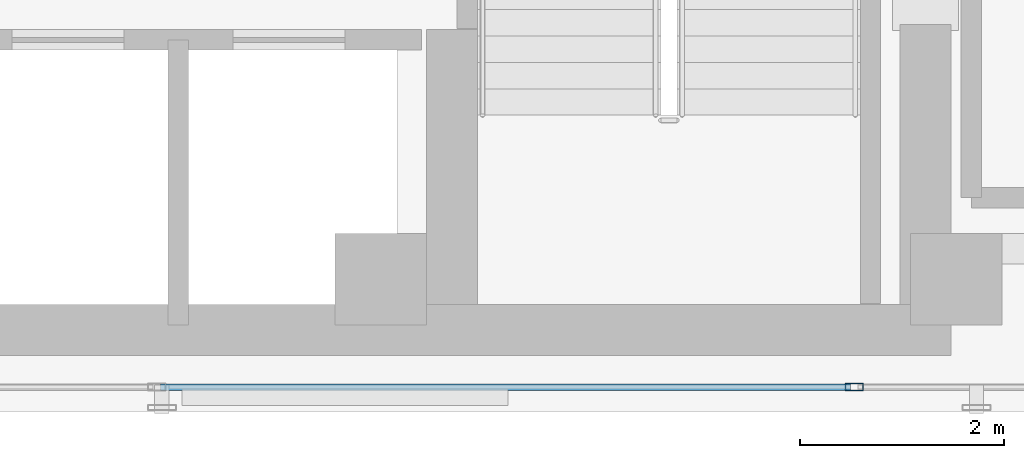
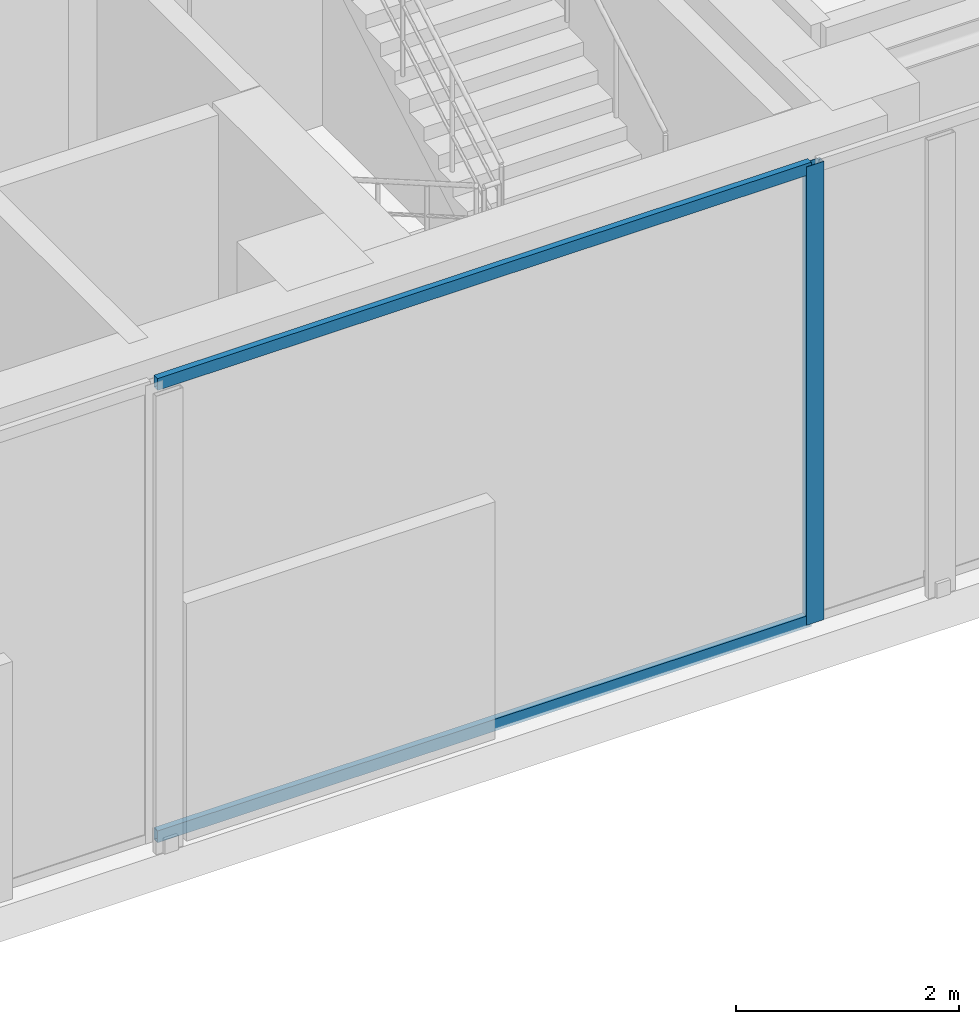
# One storey, part 3 of 29: 3 members, 1 element without a shape of its own.
"""IFC4 building model written with IfcOpenShell, lengths in metres."""

import ifcopenshell
import ifcopenshell.guid

model = None  # the IFC model being written
_history = None  # IfcOwnerHistory: only IFC2X3 demands one
_inside = {}  # id of a spatial element -> (the spatial element, [elements in it])
_under = {}  # id of a project, library or spatial element -> (it, [spatial elements below it])
_declared = {}  # id of a project -> (the project, [libraries it declares])
_typed = {}  # id of a type object -> (the type object, [elements of that type])
_made_of = {}  # id of a material, layer set ... -> (it, [elements and type objects made of it])


def new_model(schema):
    """Start an empty IFC model of exactly this schema.

    Asked for "IFC4X3", IfcOpenShell would pick the latest addendum, in which some entities
    have other attributes; the version numbers below select the first issue.
    IFC2X3 requires an IfcOwnerHistory on every rooted entity: one is made here for all.
    """
    global model, _history
    if schema == "IFC4X3":
        model = ifcopenshell.file(schema_version=(4, 3, 0, 0))
    else:
        model = ifcopenshell.file(schema=schema)
    _inside.clear()
    _under.clear()
    _declared.clear()
    _typed.clear()
    _made_of.clear()
    _history = None
    if model.schema == "IFC2X3":
        org = make("IfcOrganization", Name="unknown")
        user = make(
            "IfcPersonAndOrganization",
            ThePerson=make("IfcPerson", FamilyName="unknown"),
            TheOrganization=org,
        )
        app = make(
            "IfcApplication",
            ApplicationDeveloper=org,
            Version="unknown",
            ApplicationFullName="unknown",
            ApplicationIdentifier="unknown",
        )
        _history = make(
            "IfcOwnerHistory",
            OwningUser=user,
            OwningApplication=app,
            ChangeAction="ADDED",
            CreationDate=0,
        )
    return model


def make(cls, **values):
    """One entity of the class cls with the attributes given. An attribute that is None is left unset."""
    return model.create_entity(
        cls, **{name: value for name, value in values.items() if value is not None}
    )


def rooted(cls, **values):
    """An entity with a GlobalId (a new one), such as an element, a storey or a relation."""
    return make(cls, GlobalId=ifcopenshell.guid.new(), OwnerHistory=_history, **values)


def si_unit(unit_type, name, prefix=None):
    """IfcSIUnit, for example si_unit("LENGTHUNIT", "METRE", prefix="MILLI")."""
    return make("IfcSIUnit", UnitType=unit_type, Prefix=prefix, Name=name)


def assignment(units):
    """IfcUnitAssignment: the units of a project."""
    return None if units is None else make("IfcUnitAssignment", Units=units)


def point(xyz):
    """IfcCartesianPoint."""
    return None if xyz is None else make("IfcCartesianPoint", Coordinates=xyz)


def direction(xyz):
    """IfcDirection."""
    return None if xyz is None else make("IfcDirection", DirectionRatios=xyz)


def frame(location, z_axis=None, x_axis=None):
    """IfcAxis2Placement3D, a coordinate frame: its origin and axes. An axis left out is left unset."""
    return make(
        "IfcAxis2Placement3D",
        Location=point(location),
        Axis=direction(z_axis),
        RefDirection=direction(x_axis),
    )


def frame_2d(location, x_axis=None):
    """IfcAxis2Placement2D, a coordinate frame in the plane: its origin and x axis."""
    return make(
        "IfcAxis2Placement2D", Location=point(location), RefDirection=direction(x_axis)
    )


def origin():
    """The frame at (0, 0, 0) with its axes left unset."""
    return frame((0.0, 0.0, 0.0))


def origin_with_axes():
    """The frame at (0, 0, 0) with the z axis (0, 0, 1) and the x axis (1, 0, 0) written out."""
    return frame((0.0, 0.0, 0.0), z_axis=(0.0, 0.0, 1.0), x_axis=(1.0, 0.0, 0.0))


def origin_2d():
    """The frame at (0, 0) in the plane with its x axis left unset."""
    return frame_2d((0.0, 0.0))


def place(relative_to, where):
    """IfcLocalPlacement: puts the frame where relative to a parent placement (None: the world)."""
    return make(
        "IfcLocalPlacement", PlacementRelTo=relative_to, RelativePlacement=where
    )


def context(
    kind, dimensions, precision=None, world=None, true_north=None, identifier=None
):
    """IfcGeometricRepresentationContext, for example the 3D "Model" context."""
    return make(
        "IfcGeometricRepresentationContext",
        ContextIdentifier=identifier,
        ContextType=kind,
        CoordinateSpaceDimension=dimensions,
        Precision=precision,
        WorldCoordinateSystem=world,
        TrueNorth=true_north,
    )


def subcontext(parent, identifier, kind, view, scale=None):
    """IfcGeometricRepresentationSubContext, for example "Body" below "Model"."""
    return make(
        "IfcGeometricRepresentationSubContext",
        ContextIdentifier=identifier,
        ContextType=kind,
        ParentContext=parent,
        TargetScale=scale,
        TargetView=view,
    )


def project(units=None, contexts=None):
    """IfcProject with its units and contexts."""
    return rooted(
        "IfcProject",
        Name="project",
        RepresentationContexts=contexts,
        UnitsInContext=assignment(units),
    )


def spatial(cls, under=None, at=None, **own):
    """A site, building, storey or space (cls), placed at a placement, below another one or the project."""
    s = rooted(cls, ObjectPlacement=at, **own)
    if under is not None:
        _under.setdefault(under.id(), (under, []))[1].append(s)
    return s


def profile(cls, at=None, kind="AREA", **sizes):
    """A parametric profile (cls). Its sizes go by their IFC names, for example OverallWidth=200.0."""
    return make(cls, ProfileType=kind, Position=at, **sizes)


def hollow_rectangle(**sizes):
    """IfcRectangleHollowProfileDef."""
    return profile("IfcRectangleHollowProfileDef", **sizes)


def extrude(swept, where, along, depth):
    """IfcExtrudedAreaSolid: the profile swept, set in the frame where, extruded along a direction by depth."""
    return make(
        "IfcExtrudedAreaSolid",
        SweptArea=swept,
        Position=where,
        ExtrudedDirection=direction(along),
        Depth=depth,
    )


def shape(context_of_items, identifier, shape_type, items):
    """IfcShapeRepresentation: the items that make up one representation, for example the "Body"."""
    return make(
        "IfcShapeRepresentation",
        ContextOfItems=context_of_items,
        RepresentationIdentifier=identifier,
        RepresentationType=shape_type,
        Items=items,
    )


def source(mapping_origin, context_of_items, identifier, shape_type, items):
    """IfcRepresentationMap: a shape defined once, which mapped items show again and again."""
    return make(
        "IfcRepresentationMap",
        MappingOrigin=mapping_origin,
        MappedRepresentation=shape(context_of_items, identifier, shape_type, items),
    )


def transform(
    local_origin,
    x_axis=None,
    y_axis=None,
    z_axis=None,
    scale=None,
    scale2=None,
    scale3=None,
    uniform=True,
):
    """IfcCartesianTransformationOperator3D, or its non-uniform kind. x_axis, y_axis, z_axis: its Axis1, 2, 3."""
    if uniform:
        return make(
            "IfcCartesianTransformationOperator3D",
            Axis1=direction(x_axis),
            Axis2=direction(y_axis),
            LocalOrigin=point(local_origin),
            Scale=scale,
            Axis3=direction(z_axis),
        )
    return make(
        "IfcCartesianTransformationOperator3DnonUniform",
        Axis1=direction(x_axis),
        Axis2=direction(y_axis),
        LocalOrigin=point(local_origin),
        Scale=scale,
        Axis3=direction(z_axis),
        Scale2=scale2,
        Scale3=scale3,
    )


def mapped(mapping_source, mapping_target):
    """IfcMappedItem: shows the shape of a source again, moved by a transform."""
    return make(
        "IfcMappedItem", MappingSource=mapping_source, MappingTarget=mapping_target
    )


def material(Name=None, Category=None):
    """IfcMaterial."""
    return make("IfcMaterial", Name=Name, Category=Category)


def layer(
    of_material, thickness, ventilated=None, Name=None, Category=None, Priority=None
):
    """IfcMaterialLayer: one layer of a wall or slab, of a material (None: an air gap)."""
    return make(
        "IfcMaterialLayer",
        Material=of_material,
        LayerThickness=thickness,
        IsVentilated=ventilated,
        Name=Name,
        Category=Category,
        Priority=Priority,
    )


def layer_set(layers, Name=None):
    """IfcMaterialLayerSet."""
    return make("IfcMaterialLayerSet", MaterialLayers=layers, LayerSetName=Name)


def material_profile(
    of_material, cross_section, Name=None, Category=None, Priority=None
):
    """IfcMaterialProfile: a cross section and its material."""
    return make(
        "IfcMaterialProfile",
        Name=Name,
        Material=of_material,
        Profile=cross_section,
        Priority=Priority,
        Category=Category,
    )


def profile_set(profiles, Name=None, composite=None):
    """IfcMaterialProfileSet."""
    return make(
        "IfcMaterialProfileSet",
        Name=Name,
        MaterialProfiles=profiles,
        CompositeProfile=composite,
    )


def made_of(thing, what):
    """Note that an element or type object is made of a material, layer set ...; save() writes the relation."""
    if what is not None:
        _made_of.setdefault(what.id(), (what, []))[1].append(thing)
    return thing


def type_object(cls, material=None, **own):
    """A type object (cls), such as IfcWallType, which elements share."""
    return made_of(rooted(cls, **own), material)


def element(
    cls,
    number,
    at=None,
    inside=None,
    cuts=None,
    type_object=None,
    material=None,
    context=None,
    identifier="Body",
    shape_type=None,
    held_by="IfcProductDefinitionShape",
    body=None,
    shapes=None,
    **own,
):
    """One element of the class cls, such as IfcWall. Its Tag is "e" and its number.

    at: its placement. inside: the storey or other place that contains it. cuts: it is an
    opening in that element (IfcRelVoidsElement). A single representation is given by context,
    identifier, shape_type and body (its items); several are given by shapes. held_by: the class
    of the entity that holds the representations. save() writes the other relations.
    """
    e = rooted(cls, Tag="e%d" % number, ObjectPlacement=at, **own)
    if body is not None:
        shapes = [shape(context, identifier, shape_type, body)]
    if shapes is not None:
        e.Representation = make(held_by, Representations=shapes)
    if inside is not None:
        _inside.setdefault(inside.id(), (inside, []))[1].append(e)
    if cuts is not None:
        rooted(
            "IfcRelVoidsElement", RelatingBuildingElement=cuts, RelatedOpeningElement=e
        )
    if type_object is not None:
        _typed.setdefault(type_object.id(), (type_object, []))[1].append(e)
    return made_of(e, material)


def aggregate(whole, parts):
    """IfcRelAggregates: a whole, such as a stair, and the parts it consists of."""
    return rooted("IfcRelAggregates", RelatingObject=whole, RelatedObjects=parts)


def save(model, path):
    """Write the relations noted so far, then the file.

    IfcRelAggregates (storeys below a building ...), IfcRelContainedInSpatialStructure (elements
    in a storey), IfcRelDefinesByType, IfcRelAssociatesMaterial and IfcRelDeclares: one each for
    every whole, place, type object, material and project.
    """
    for whole, parts in _under.values():
        aggregate(whole, parts)
    for where, things in _inside.values():
        rooted(
            "IfcRelContainedInSpatialStructure",
            RelatedElements=things,
            RelatingStructure=where,
        )
    for kind, things in _typed.values():
        rooted("IfcRelDefinesByType", RelatedObjects=things, RelatingType=kind)
    for what, things in _made_of.values():
        rooted("IfcRelAssociatesMaterial", RelatedObjects=things, RelatingMaterial=what)
    for by, libraries in _declared.values():
        rooted("IfcRelDeclares", RelatingContext=by, RelatedDefinitions=libraries)
    model.write(path)


model = new_model("IFC4")

# Units and contexts
model_context = context("Model", 3, precision=1e-05, world=origin(), true_north=direction((0.0, 1.0)))
body_context = subcontext(model_context, "Body", "Model", "MODEL_VIEW")
ifc_project = project(units=[si_unit("LENGTHUNIT", "METRE"), si_unit("AREAUNIT", "SQUARE_METRE"), si_unit("VOLUMEUNIT", "CUBIC_METRE"), si_unit("PLANEANGLEUNIT", "RADIAN"), si_unit("MASSUNIT", "GRAM", prefix="KILO")], contexts=[model_context])

# Site, building, storey
site_placement = place(None, origin())
site = spatial("IfcSite", under=ifc_project, at=site_placement, CompositionType="ELEMENT")
building_placement = place(site_placement, origin())
building = spatial("IfcBuilding", under=site, at=building_placement, Name="Kolvaren Waterfront Exchange", CompositionType="ELEMENT")
storey_placement = place(building_placement, frame((0.0, 0.0, 338.800048828125)))
storey = spatial("IfcBuildingStorey", under=building, at=storey_placement, Name="L87", CompositionType="ELEMENT", Elevation=338.800048828125)

# Curtain wall, members
ifc_material_1 = material(Name="Anodised dark bronze spandrel aluminium", Category="aluminium")
ifc_layer = layer(ifc_material_1, 0.219970703125, Name="Anodised dark bronze spandrel aluminium")
ifc_layer_set = layer_set([ifc_layer], Name="Anodised dark bronze spandrel aluminium")
curtain_wall_type = type_object("IfcCurtainWallType", Name="ARC-CW-SYS6", PredefinedType="USERDEFINED", material=ifc_layer_set)
curtain_wall_placement = place(storey_placement, origin())
curtain_wall = element("IfcCurtainWall", 1, at=curtain_wall_placement, inside=storey, type_object=curtain_wall_type, Name="L87 stick curtain wall CW6 (CW-L87-S)", ObjectType="STICK CURTAIN WALL", PredefinedType="USERDEFINED")
ifc_material_2 = material(Name="Anodised bronze aluminium 6063-T6", Category="aluminium")
ifc_material_profile_1 = material_profile(ifc_material_2, hollow_rectangle(XDim=0.074951171875, YDim=0.179931640625, WallThickness=0.00439453125, at=origin_2d()), Name="ALU-MUL-180x75x4.5")
ifc_profile_set_1 = profile_set([ifc_material_profile_1], Name="Anodised bronze aluminium 6063-T6")
member_type_1 = type_object("IfcMemberType", Name="ARC-CWM-180", PredefinedType="MULLION", material=ifc_profile_set_1)
shared_shape_1 = source(origin_with_axes(), body_context, "Body", "SweptSolid", [
    extrude(hollow_rectangle(XDim=0.074951171875, YDim=0.179931640625, WallThickness=0.00439453125, at=origin_2d()), origin(), (0.0, 0.0, 1.0), 5.02001953125),
])
member_1_placement = place(storey_placement, frame((20.10009765625, 3.840087890625, 0.0), z_axis=(0.0, 0.0, 1.0), x_axis=(0.0, 1.0, 0.0)))
member_1 = element("IfcMember", 2, at=member_1_placement, type_object=member_type_1, Name="CW6 mullion 3", PredefinedType="MULLION", context=body_context, shape_type="MappedRepresentation", body=[
    mapped(shared_shape_1, transform((0.0, 0.0, 0.0), x_axis=(1.0, 0.0, 0.0), y_axis=(0.0, 1.0, 0.0), z_axis=(0.0, 0.0, 1.0), scale=1.0)),
])
ifc_material_profile_2 = material_profile(ifc_material_2, hollow_rectangle(XDim=0.06494140625, YDim=0.1298828125, WallThickness=0.00390625, at=origin_2d()), Name="ALU-TRN-130x65x4")
ifc_profile_set_2 = profile_set([ifc_material_profile_2], Name="Anodised bronze aluminium 6063-T6")
member_type_2 = type_object("IfcMemberType", Name="ARC-CWT-130", PredefinedType="USERDEFINED", material=ifc_profile_set_2)
shared_shape_2 = source(origin_with_axes(), body_context, "Body", "SweptSolid", [
    extrude(hollow_rectangle(XDim=0.06494140625, YDim=0.1298828125, WallThickness=0.00390625, at=origin_2d()), origin(), (0.0, 0.0, 1.0), 6.77490234375),
])
member_2_placement = place(storey_placement, frame((13.28759765625, 3.840087890625, 0.032470703125), z_axis=(1.0, 0.0, 0.0), x_axis=(0.0, 1.0, 0.0)))
member_2 = element("IfcMember", 3, at=member_2_placement, type_object=member_type_2, Name="CW6 transom 2.1", ObjectType="TRANSOM", PredefinedType="USERDEFINED", context=body_context, shape_type="MappedRepresentation", body=[
    mapped(shared_shape_2, transform((0.0, 0.0, 0.0), x_axis=(1.0, 0.0, 0.0), y_axis=(0.0, 1.0, 0.0), z_axis=(0.0, 0.0, 1.0), scale=1.0)),
])
member_3_placement = place(storey_placement, frame((13.28759765625, 3.840087890625, 4.987548828125), z_axis=(1.0, 0.0, 0.0), x_axis=(0.0, 1.0, 0.0)))
member_3 = element("IfcMember", 4, at=member_3_placement, type_object=member_type_2, Name="CW6 transom 2.2", ObjectType="TRANSOM", PredefinedType="USERDEFINED", context=body_context, shape_type="MappedRepresentation", body=[
    mapped(shared_shape_2, transform((0.0, 0.0, 0.0), x_axis=(1.0, 0.0, 0.0), y_axis=(0.0, 1.0, 0.0), z_axis=(0.0, 0.0, 1.0), scale=1.0)),
])
aggregate(curtain_wall, [member_1, member_2, member_3])

save(model, "model.ifc")
